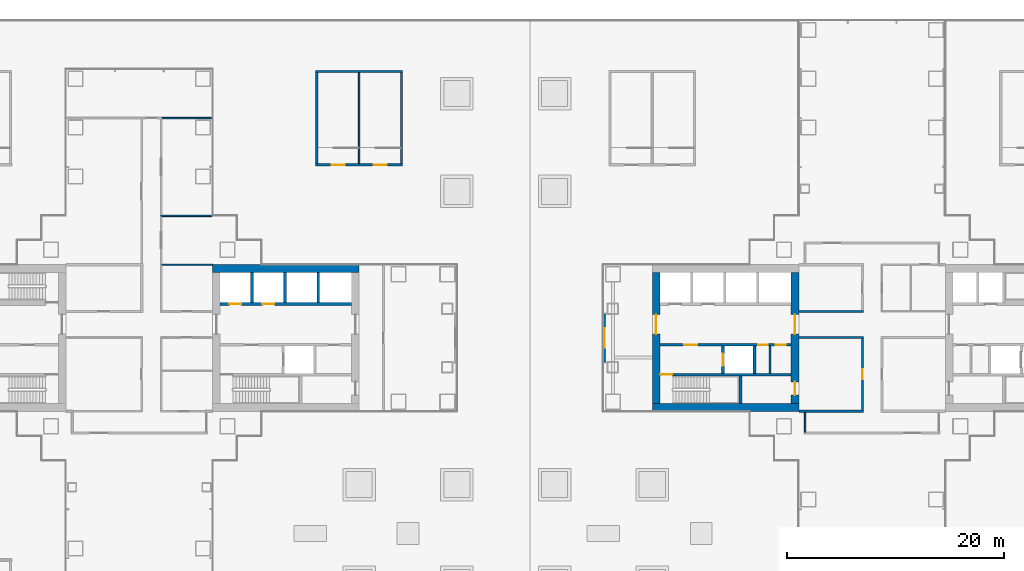
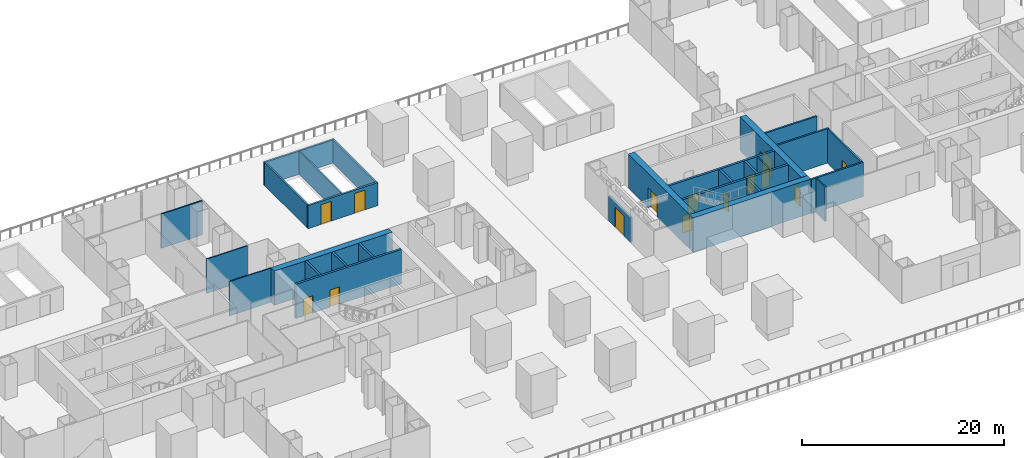
# One storey, part 16 of 23: 28 walls, 14 doors, 14 openings.
"""IFC4 building model written with IfcOpenShell, lengths in metres."""

from ifc_helpers import new_model, si_unit, direction, frame, frame_2d, origin, place, context, subcontext, project, spatial, rectangle, extrude, material, layer, layer_set, type_object, element, fill, save


model = new_model("IFC4")

# Units and contexts
model_context = context("Model", 3, precision=1e-05, world=origin(), true_north=direction((0.0, 1.0)))
body_context = subcontext(model_context, "Body", "Model", "MODEL_VIEW")
ifc_project = project(units=[si_unit("LENGTHUNIT", "METRE"), si_unit("AREAUNIT", "SQUARE_METRE"), si_unit("VOLUMEUNIT", "CUBIC_METRE"), si_unit("PLANEANGLEUNIT", "RADIAN"), si_unit("MASSUNIT", "GRAM", prefix="KILO")], contexts=[model_context])

# Site, building, storey
site_placement = place(None, origin())
site = spatial("IfcSite", under=ifc_project, at=site_placement, CompositionType="ELEMENT")
building_placement = place(site_placement, origin())
building = spatial("IfcBuilding", under=site, at=building_placement, Name="Shamsa Quay Exchange Towers", CompositionType="ELEMENT")
storey_placement = place(building_placement, frame((0.0, 0.0, 28.5)))
storey = spatial("IfcBuildingStorey", under=building, at=storey_placement, Name="L05", CompositionType="ELEMENT", Elevation=28.5)

# Walls
ifc_material_1 = material(Name="Concrete C80/95", Category="concrete")
ifc_layer_1 = layer(ifc_material_1, 0.699951171875)
ifc_layer_set_1 = layer_set([ifc_layer_1], Name="CORE WALL 700 C80/95")
wall_type_1 = type_object("IfcWallType", Name="CORE WALL 700 C80/95", PredefinedType="SHEAR", material=ifc_layer_set_1)
for number, where, name in (
    (1, (-27.0, 6.39990234375, 0.0), "Core wall T1A-R01-PN"),
    (2, (13.5, -6.39990234375, 0.0), "Core wall T2A-R01-PS"),
):
    element("IfcWall", number, at=place(storey_placement, frame(where)), inside=storey, type_object=wall_type_1, Name=name, PredefinedType="SHEAR", context=body_context, shape_type="SweptSolid", body=[
        extrude(rectangle(XDim=13.5, YDim=0.699951171875, at=frame_2d((6.75, 0.0))), origin(), (0.0, 0.0, 1.0), 4.14990234375),
    ])

# Wall, opening, door
wall_1_placement = place(storey_placement, frame((13.85009765625, 6.050048828125, 0.0), z_axis=(0.0, 0.0, 1.0), x_axis=(0.0, -1.0, 0.0)))
wall_1 = element("IfcWall", 3, at=wall_1_placement, inside=storey, type_object=wall_type_1, Name="Core wall T2A-R01-PF", PredefinedType="SHEAR", context=body_context, shape_type="SweptSolid", body=[
    extrude(rectangle(XDim=12.10009765625, YDim=0.699951171875, at=frame_2d((6.050048828125, 0.0))), origin(), (0.0, 0.0, 1.0), 4.14990234375),
])
opening_1_placement = place(wall_1_placement, frame((3.89990234375, 0.0, 0.0)))
opening_1 = element("IfcOpeningElement", 4, at=opening_1_placement, cuts=wall_1, Name="Opening T2A-R01-LBD01", PredefinedType="OPENING", context=body_context, shape_type="SweptSolid", body=[
    extrude(rectangle(XDim=1.800048828125, YDim=2.39990234375, at=frame_2d((0.89990234375, 1.199951171875))), frame((0.0, 0.35986328125, 0.0), z_axis=(0.0, -1.0, 0.0), x_axis=(1.0, 0.0, 0.0)), (0.0, 0.0, 1.0), 0.719970703125),
])
ifc_material_2 = material(Name="Steel, fire rated", Category="steel")
door_type_1 = type_object("IfcDoorType", Name="LIFT LOBBY DOOR PAIR 1800", OperationType="DOUBLE_DOOR_SINGLE_SWING", PredefinedType="DOOR", material=ifc_material_2)
door_1_placement = place(opening_1_placement, origin())
door_1 = element("IfcDoor", 5, at=door_1_placement, inside=storey, type_object=door_type_1, Name="T2A-R01-LBD01", OperationType="DOUBLE_DOOR_SINGLE_SWING", OverallHeight=2.39990234375, OverallWidth=1.800048828125, PredefinedType="DOOR", context=body_context, shape_type="SweptSolid", body=[
    extrude(rectangle(XDim=1.800048828125, YDim=2.39990234375, at=frame_2d((0.89990234375, 1.199951171875))), frame((0.0, 0.02490234375, 0.0), z_axis=(0.0, -1.0, 0.0), x_axis=(1.0, 0.0, 0.0)), (0.0, 0.0, 1.0), 0.050048828125),
])
fill(opening_1, door_1)

# Wall, openings, doors
wall_2_placement = place(storey_placement, frame((26.64990234375, 6.050048828125, 0.0), z_axis=(0.0, 0.0, 1.0), x_axis=(0.0, -1.0, 0.0)))
wall_2 = element("IfcWall", 6, at=wall_2_placement, inside=storey, type_object=wall_type_1, Name="Core wall T2A-R01-PB", PredefinedType="SHEAR", context=body_context, shape_type="SweptSolid", body=[
    extrude(rectangle(XDim=12.10009765625, YDim=0.699951171875, at=frame_2d((6.050048828125, 0.0))), origin(), (0.0, 0.0, 1.0), 4.14990234375),
])
opening_2_placement = place(wall_2_placement, frame((10.10009765625, 0.0, 0.0)))
opening_2 = element("IfcOpeningElement", 7, at=opening_2_placement, cuts=wall_2, Name="Opening T2A-R01-RD02", PredefinedType="OPENING", context=body_context, shape_type="SweptSolid", body=[
    extrude(rectangle(XDim=1.199951171875, YDim=2.10009765625, at=frame_2d((0.60009765625, 1.050048828125))), frame((0.0, 0.35986328125, 0.0), z_axis=(0.0, -1.0, 0.0), x_axis=(1.0, 0.0, 0.0)), (0.0, 0.0, 1.0), 0.719970703125),
])
opening_3_placement = place(wall_2_placement, frame((3.89990234375, 0.0, 0.0)))
opening_3 = element("IfcOpeningElement", 8, at=opening_3_placement, cuts=wall_2, Name="Opening T2A-R01-LBD03", PredefinedType="OPENING", context=body_context, shape_type="SweptSolid", body=[
    extrude(rectangle(XDim=1.800048828125, YDim=2.39990234375, at=frame_2d((0.89990234375, 1.199951171875))), frame((0.0, 0.35986328125, 0.0), z_axis=(0.0, -1.0, 0.0), x_axis=(1.0, 0.0, 0.0)), (0.0, 0.0, 1.0), 0.719970703125),
])
door_2_placement = place(opening_3_placement, origin())
door_2 = element("IfcDoor", 9, at=door_2_placement, inside=storey, type_object=door_type_1, Name="T2A-R01-LBD03", OperationType="DOUBLE_DOOR_SINGLE_SWING", OverallHeight=2.39990234375, OverallWidth=1.800048828125, PredefinedType="DOOR", context=body_context, shape_type="SweptSolid", body=[
    extrude(rectangle(XDim=1.800048828125, YDim=2.39990234375, at=frame_2d((0.89990234375, 1.199951171875))), frame((0.0, 0.02490234375, 0.0), z_axis=(0.0, -1.0, 0.0), x_axis=(1.0, 0.0, 0.0)), (0.0, 0.0, 1.0), 0.050048828125),
])
fill(opening_3, door_2)
door_type_2 = type_object("IfcDoorType", Name="RISER ACCESS DOOR 1200", OperationType="SINGLE_SWING_LEFT", PredefinedType="DOOR", material=ifc_material_2)
door_3_placement = place(opening_2_placement, origin())
door_3 = element("IfcDoor", 10, at=door_3_placement, inside=storey, type_object=door_type_2, Name="T2A-R01-RD02", OperationType="SINGLE_SWING_RIGHT", OverallHeight=2.10009765625, OverallWidth=1.199951171875, PredefinedType="DOOR", context=body_context, shape_type="SweptSolid", body=[
    extrude(rectangle(XDim=1.199951171875, YDim=2.10009765625, at=frame_2d((0.60009765625, 1.050048828125))), frame((0.0, 0.02490234375, 0.0), z_axis=(0.0, -1.0, 0.0), x_axis=(1.0, 0.0, 0.0)), (0.0, 0.0, 1.0), 0.050048828125),
])
fill(opening_2, door_3)

# Wall, opening, door
ifc_material_3 = material(Name="Aluminium EN AW-6063 T6, black anodised, with black enamelled glass infill", Category="aluminium")
ifc_layer_2 = layer(ifc_material_3, 0.199951171875)
ifc_layer_set_2 = layer_set([ifc_layer_2], Name="ENTRANCE DOOR BAY WALL 200")
wall_type_2 = type_object("IfcWallType", Name="ENTRANCE DOOR BAY WALL 200", PredefinedType="SOLIDWALL", material=ifc_layer_set_2)
wall_3_placement = place(storey_placement, frame((9.10009765625, -2.219970703125, 0.0), z_axis=(0.0, 0.0, 1.0), x_axis=(0.0, 1.0, 0.0)))
wall_3 = element("IfcWall", 11, at=wall_3_placement, inside=storey, type_object=wall_type_2, Name="Entrance bay T2 L05 T2-END-V+ bay 2", PredefinedType="SOLIDWALL", context=body_context, shape_type="SweptSolid", body=[
    extrude(rectangle(XDim=4.43994140625, YDim=0.199951171875, at=frame_2d((2.219970703125, 0.0))), origin(), (0.0, 0.0, 1.0), 3.0),
])
opening_4_placement = place(wall_3_placement, frame((1.320068359375, 0.0, 0.0)))
opening_4 = element("IfcOpeningElement", 12, at=opening_4_placement, cuts=wall_3, Name="Opening XD039", PredefinedType="OPENING", context=body_context, shape_type="SweptSolid", body=[
    extrude(rectangle(XDim=1.800048828125, YDim=2.39990234375, at=frame_2d((0.89990234375, 1.199951171875))), frame((0.0, 0.10986328125, 0.0), z_axis=(0.0, -1.0, 0.0), x_axis=(1.0, 0.0, 0.0)), (0.0, 0.0, 1.0), 0.219970703125),
])
ifc_material_4 = material(Name="Aluminium EN AW-6063 T6, black anodised, with laminated glass leaves", Category="aluminium")
door_type_3 = type_object("IfcDoorType", Name="TERRACE DOOR 1800x2400", OperationType="DOUBLE_DOOR_SINGLE_SWING", PredefinedType="DOOR", material=ifc_material_4)
door_4_placement = place(opening_4_placement, origin())
door_4 = element("IfcDoor", 13, at=door_4_placement, inside=storey, type_object=door_type_3, Name="Terrace door T2 L05 T2-END-V+ bay 2", OperationType="DOUBLE_DOOR_SINGLE_SWING", OverallHeight=2.39990234375, OverallWidth=1.800048828125, PredefinedType="DOOR", context=body_context, shape_type="SweptSolid", body=[
    extrude(rectangle(XDim=1.800048828125, YDim=2.39990234375, at=frame_2d((0.89990234375, 1.199951171875))), frame((0.0, 0.02490234375, 0.0), z_axis=(0.0, -1.0, 0.0), x_axis=(1.0, 0.0, 0.0)), (0.0, 0.0, 1.0), 0.050048828125),
])
fill(opening_4, door_4)

# Walls
ifc_material_5 = material(Name="Gypsum board on steel studs, EI 60", Category="steel")
ifc_layer_3 = layer(ifc_material_5, 0.14990234375)
ifc_layer_set_3 = layer_set([ifc_layer_3], Name="FIRE PARTITION 150")
wall_type_3 = type_object("IfcWallType", Name="FIRE PARTITION 150", PredefinedType="PARTITIONING", material=ifc_layer_set_3)
wall_4_placement = place(storey_placement, frame((24.35009765625, -3.25, 0.0), z_axis=(0.0, 0.0, 1.0), x_axis=(0.0, 1.0, 0.0)))
element("IfcWall", 14, at=wall_4_placement, inside=storey, type_object=wall_type_3, Name="Partition T2A-R01-EC0", PredefinedType="PARTITIONING", context=body_context, shape_type="SweptSolid", body=[
    extrude(rectangle(XDim=2.5, YDim=0.14990234375, at=frame_2d((1.25, 0.0))), origin(), (0.0, 0.0, 1.0), 4.14990234375),
])
ifc_material_6 = material(Name="Laminated fire-resisting glass in a metal frame", Category="glass")
ifc_layer_4 = layer(ifc_material_6, 0.125)
ifc_layer_set_4 = layer_set([ifc_layer_4], Name="Glazed partition 125 mm EI 60")
wall_type_4 = type_object("IfcWallType", Name="Glazed partition 125 mm EI 60", PredefinedType="PARTITIONING", material=ifc_layer_set_4)
wall_5_placement = place(storey_placement, frame((-27.0, 6.75, 0.0), z_axis=(0.0, 0.0, 1.0), x_axis=(-1.0, 0.0, 0.0)))
element("IfcWall", 15, at=wall_5_placement, inside=storey, type_object=wall_type_4, Name="Partition T1-R01-W19", PredefinedType="PARTITIONING", context=body_context, shape_type="SweptSolid", body=[
    extrude(rectangle(XDim=4.787109375, YDim=0.125, at=frame_2d((2.3935546875, 0.0))), origin(), (0.0, 0.0, 1.0), 4.14990234375),
])
wall_6_placement = place(storey_placement, frame((-27.094970703125, 11.25, 0.0), z_axis=(0.0, 0.0, 1.0), x_axis=(-1.0, 0.0, 0.0)))
element("IfcWall", 16, at=wall_6_placement, inside=storey, type_object=wall_type_4, Name="Partition T1-R01-W24", PredefinedType="PARTITIONING", context=body_context, shape_type="SweptSolid", body=[
    extrude(rectangle(XDim=4.692138671875, YDim=0.125, at=frame_2d((2.34619140625, 0.0))), origin(), (0.0, 0.0, 1.0), 4.14990234375),
])
ifc_material_7 = material(Name="Gypsum board partition on metal studs")
ifc_layer_5 = layer(ifc_material_7, 0.14990234375)
ifc_layer_set_5 = layer_set([ifc_layer_5], Name="Partition 150 mm EI 60")
wall_type_5 = type_object("IfcWallType", Name="Partition 150 mm EI 60", PredefinedType="PARTITIONING", material=ifc_layer_set_5)
wall_7_placement = place(storey_placement, frame((-27.094970703125, 20.25, 0.0), z_axis=(0.0, 0.0, 1.0), x_axis=(-1.0, 0.0, 0.0)))
element("IfcWall", 17, at=wall_7_placement, inside=storey, type_object=wall_type_5, Name="Partition T1-R01-W25", PredefinedType="PARTITIONING", context=body_context, shape_type="SweptSolid", body=[
    extrude(rectangle(XDim=4.692138671875, YDim=0.14990234375, at=frame_2d((2.34619140625, 0.0))), origin(), (0.0, 0.0, 1.0), 4.14990234375),
])
wall_8_placement = place(storey_placement, frame((27.5751953125, -6.85009765625, 0.0), z_axis=(0.0, 0.0, 1.0), x_axis=(0.0, -1.0, 0.0)))
element("IfcWall", 18, at=wall_8_placement, inside=storey, type_object=wall_type_5, Name="Partition T2-R01-W16", PredefinedType="PARTITIONING", context=body_context, shape_type="SweptSolid", body=[
    extrude(rectangle(XDim=1.824951171875, YDim=0.14990234375, at=frame_2d((0.91259765625, 0.0))), origin(), (0.0, 0.0, 1.0), 4.14990234375),
])

# Wall, opening, door
ifc_layer_6 = layer(ifc_material_7, 0.199951171875)
ifc_layer_set_6 = layer_set([ifc_layer_6], Name="Partition 200 mm EI 120")
wall_type_6 = type_object("IfcWallType", Name="Partition 200 mm EI 120", PredefinedType="PARTITIONING", material=ifc_layer_set_6)
wall_9_placement = place(storey_placement, frame((32.849609375, -6.64990234375, 0.0), z_axis=(0.0, 0.0, 1.0), x_axis=(0.0, 1.0, 0.0)))
wall_9 = element("IfcWall", 19, at=wall_9_placement, inside=storey, type_object=wall_type_6, Name="Partition T2-R01-W03", PredefinedType="PARTITIONING", context=body_context, shape_type="SweptSolid", body=[
    extrude(rectangle(XDim=6.599609375, YDim=0.199951171875, at=frame_2d((3.2998046875, 0.0))), origin(), (0.0, 0.0, 1.0), 4.14990234375),
])
opening_5_placement = place(wall_9_placement, frame((2.849853515625, 0.0, 0.0)))
opening_5 = element("IfcOpeningElement", 20, at=opening_5_placement, cuts=wall_9, Name="Opening T2-R01-D08", PredefinedType="OPENING", context=body_context, shape_type="SweptSolid", body=[
    extrude(rectangle(XDim=0.89990234375, YDim=2.10009765625, at=frame_2d((0.449951171875, 1.050048828125))), frame((0.0, 0.10986328125, 0.0), z_axis=(0.0, -1.0, 0.0), x_axis=(1.0, 0.0, 0.0)), (0.0, 0.0, 1.0), 0.219970703125),
])
ifc_material_8 = material(Name="Timber door leaf in a metal frame", Category="wood")
door_type_4 = type_object("IfcDoorType", Name="Door 900x2100 FD60", OperationType="NOTDEFINED", PredefinedType="DOOR", material=ifc_material_8)
door_5_placement = place(opening_5_placement, origin())
door_5 = element("IfcDoor", 21, at=door_5_placement, inside=storey, type_object=door_type_4, Name="Door T2-R01-D08", OperationType="SINGLE_SWING_RIGHT", OverallHeight=2.10009765625, OverallWidth=0.89990234375, PredefinedType="DOOR", context=body_context, shape_type="SweptSolid", body=[
    extrude(rectangle(XDim=0.89990234375, YDim=2.10009765625, at=frame_2d((0.449951171875, 1.050048828125))), frame((0.0, 0.02490234375, 0.0), z_axis=(0.0, -1.0, 0.0), x_axis=(1.0, 0.0, 0.0)), (0.0, 0.0, 1.0), 0.050048828125),
])
fill(opening_5, door_5)

# Walls
wall_10_placement = place(storey_placement, frame((27.0, 2.4501953125, 0.0)))
element("IfcWall", 22, at=wall_10_placement, inside=storey, type_object=wall_type_6, Name="Partition T2-R01-W04", PredefinedType="PARTITIONING", context=body_context, shape_type="SweptSolid", body=[
    extrude(rectangle(XDim=5.94970703125, YDim=0.199951171875, at=frame_2d((2.974853515625, 0.0))), origin(), (0.0, 0.0, 1.0), 4.14990234375),
])
wall_11_placement = place(storey_placement, frame((32.94970703125, 0.0498046875, 0.0), z_axis=(0.0, 0.0, 1.0), x_axis=(-1.0, 0.0, 0.0)))
element("IfcWall", 23, at=wall_11_placement, inside=storey, type_object=wall_type_6, Name="Partition T2-R01-W05", PredefinedType="PARTITIONING", context=body_context, shape_type="SweptSolid", body=[
    extrude(rectangle(XDim=5.94970703125, YDim=0.199951171875, at=frame_2d((2.974853515625, 0.0))), origin(), (0.0, 0.0, 1.0), 4.14990234375),
])
wall_12_placement = place(storey_placement, frame((27.0, -6.75, 0.0)))
element("IfcWall", 24, at=wall_12_placement, inside=storey, type_object=wall_type_6, Name="Partition T2-R01-W08", PredefinedType="PARTITIONING", context=body_context, shape_type="SweptSolid", body=[
    extrude(rectangle(XDim=5.94970703125, YDim=0.199951171875, at=frame_2d((2.974853515625, 0.0))), origin(), (0.0, 0.0, 1.0), 4.14990234375),
])

# Wall, openings, doors
ifc_material_9 = material(Name="Concrete C50/60", Category="concrete")
ifc_layer_7 = layer(ifc_material_9, 0.25)
ifc_layer_set_7 = layer_set([ifc_layer_7], Name="SHAFT WALL 250 C50/60")
wall_type_7 = type_object("IfcWallType", Name="SHAFT WALL 250 C50/60", PredefinedType="SHEAR", material=ifc_layer_set_7)
wall_13_placement = place(storey_placement, frame((-26.300048828125, 3.125, 0.0)))
wall_13 = element("IfcWall", 25, at=wall_13_placement, inside=storey, type_object=wall_type_7, Name="Shaft wall T1A-R01-N", PredefinedType="SHEAR", context=body_context, shape_type="SweptSolid", body=[
    extrude(rectangle(XDim=12.10009765625, YDim=0.25, at=frame_2d((6.050048828125, 0.0))), origin(), (0.0, 0.0, 1.0), 4.14990234375),
])
opening_6_placement = place(wall_13_placement, frame((0.85009765625, 0.0, 0.0)))
opening_6 = element("IfcOpeningElement", 26, at=opening_6_placement, cuts=wall_13, Name="Opening T1A-R01-LD08", PredefinedType="OPENING", context=body_context, shape_type="SweptSolid", body=[
    extrude(rectangle(XDim=1.10009765625, YDim=2.10009765625, at=frame_2d((0.550048828125, 1.050048828125))), frame((0.0, 0.135009765625, 0.0), z_axis=(0.0, -1.0, 0.0), x_axis=(1.0, 0.0, 0.0)), (0.0, 0.0, 1.0), 0.27001953125),
])
opening_7_placement = place(wall_13_placement, frame((3.89990234375, 0.0, 0.0)))
opening_7 = element("IfcOpeningElement", 27, at=opening_7_placement, cuts=wall_13, Name="Opening T1A-R01-LD09", PredefinedType="OPENING", context=body_context, shape_type="SweptSolid", body=[
    extrude(rectangle(XDim=1.10009765625, YDim=2.10009765625, at=frame_2d((0.550048828125, 1.050048828125))), frame((0.0, 0.135009765625, 0.0), z_axis=(0.0, -1.0, 0.0), x_axis=(1.0, 0.0, 0.0)), (0.0, 0.0, 1.0), 0.27001953125),
])
door_type_5 = type_object("IfcDoorType", Name="LANDING DOOR 1100", OperationType="SLIDING_TO_LEFT", PredefinedType="DOOR", material=ifc_material_2)
door_6_placement = place(opening_6_placement, origin())
door_6 = element("IfcDoor", 28, at=door_6_placement, inside=storey, type_object=door_type_5, Name="T1A-R01-LD08", OperationType="SLIDING_TO_LEFT", OverallHeight=2.10009765625, OverallWidth=1.10009765625, PredefinedType="DOOR", context=body_context, shape_type="SweptSolid", body=[
    extrude(rectangle(XDim=1.10009765625, YDim=2.10009765625, at=frame_2d((0.550048828125, 1.050048828125))), frame((0.0, 0.02490234375, 0.0), z_axis=(0.0, -1.0, 0.0), x_axis=(1.0, 0.0, 0.0)), (0.0, 0.0, 1.0), 0.050048828125),
])
fill(opening_6, door_6)
door_7_placement = place(opening_7_placement, origin())
door_7 = element("IfcDoor", 29, at=door_7_placement, inside=storey, type_object=door_type_5, Name="T1A-R01-LD09", OperationType="SLIDING_TO_LEFT", OverallHeight=2.10009765625, OverallWidth=1.10009765625, PredefinedType="DOOR", context=body_context, shape_type="SweptSolid", body=[
    extrude(rectangle(XDim=1.10009765625, YDim=2.10009765625, at=frame_2d((0.550048828125, 1.050048828125))), frame((0.0, 0.02490234375, 0.0), z_axis=(0.0, -1.0, 0.0), x_axis=(1.0, 0.0, 0.0)), (0.0, 0.0, 1.0), 0.050048828125),
])
fill(opening_7, door_7)

# Walls
for number, where, z_axis, x_axis, name in (
    (30, (-23.375, 3.25, 0.0), (0.0, 0.0, 1.0), (0.0, 1.0, 0.0), "Shaft wall T1A-R01-D0"),
    (31, (-20.324951171875, 3.25, 0.0), (0.0, 0.0, 1.0), (0.0, 1.0, 0.0), "Shaft wall T1A-R01-D1"),
    (32, (-17.27490234375, 3.25, 0.0), (0.0, 0.0, 1.0), (0.0, 1.0, 0.0), "Shaft wall T1A-R01-D2"),
):
    element("IfcWall", number, at=place(storey_placement, frame(where, z_axis=z_axis, x_axis=x_axis)), inside=storey, type_object=wall_type_7, Name=name, PredefinedType="SHEAR", context=body_context, shape_type="SweptSolid", body=[
        extrude(rectangle(XDim=2.800048828125, YDim=0.25, at=frame_2d((1.39990234375, 0.0))), origin(), (0.0, 0.0, 1.0), 4.14990234375),
    ])

# Wall, opening, door
wall_14_placement = place(storey_placement, frame((26.300048828125, -3.375, 0.0), z_axis=(0.0, 0.0, 1.0), x_axis=(-1.0, 0.0, 0.0)))
wall_14 = element("IfcWall", 33, at=wall_14_placement, inside=storey, type_object=wall_type_7, Name="Shaft wall T2A-R01-STL", PredefinedType="SHEAR", context=body_context, shape_type="SweptSolid", body=[
    extrude(rectangle(XDim=12.10009765625, YDim=0.25, at=frame_2d((6.050048828125, 0.0))), origin(), (0.0, 0.0, 1.0), 4.14990234375),
])
opening_8_placement = place(wall_14_placement, frame((10.949951171875, 0.0, 0.0)))
opening_8 = element("IfcOpeningElement", 34, at=opening_8_placement, cuts=wall_14, Name="Opening T2A-R01-SD04", PredefinedType="OPENING", context=body_context, shape_type="SweptSolid", body=[
    extrude(rectangle(XDim=1.10009765625, YDim=2.10009765625, at=frame_2d((0.550048828125, 1.050048828125))), frame((0.0, 0.135009765625, 0.0), z_axis=(0.0, -1.0, 0.0), x_axis=(1.0, 0.0, 0.0)), (0.0, 0.0, 1.0), 0.27001953125),
])
door_type_6 = type_object("IfcDoorType", Name="STAIR DOOR 1100", OperationType="SINGLE_SWING_LEFT", PredefinedType="DOOR", material=ifc_material_2)
door_8_placement = place(opening_8_placement, origin())
door_8 = element("IfcDoor", 35, at=door_8_placement, inside=storey, type_object=door_type_6, Name="T2A-R01-SD04", OperationType="SINGLE_SWING_RIGHT", OverallHeight=2.10009765625, OverallWidth=1.10009765625, PredefinedType="DOOR", context=body_context, shape_type="SweptSolid", body=[
    extrude(rectangle(XDim=1.10009765625, YDim=2.10009765625, at=frame_2d((0.550048828125, 1.050048828125))), frame((0.0, 0.02490234375, 0.0), z_axis=(0.0, -1.0, 0.0), x_axis=(1.0, 0.0, 0.0)), (0.0, 0.0, 1.0), 0.050048828125),
])
fill(opening_8, door_8)

# Wall
wall_15_placement = place(storey_placement, frame((21.625, -6.050048828125, 0.0), z_axis=(0.0, 0.0, 1.0), x_axis=(0.0, 1.0, 0.0)))
element("IfcWall", 36, at=wall_15_placement, inside=storey, type_object=wall_type_7, Name="Shaft wall T2A-R01-STF", PredefinedType="SHEAR", context=body_context, shape_type="SweptSolid", body=[
    extrude(rectangle(XDim=2.550048828125, YDim=0.25, at=frame_2d((1.27490234375, 0.0))), origin(), (0.0, 0.0, 1.0), 4.14990234375),
])

# Wall, openings, doors
wall_16_placement = place(storey_placement, frame((26.300048828125, -0.625, 0.0), z_axis=(0.0, 0.0, 1.0), x_axis=(-1.0, 0.0, 0.0)))
wall_16 = element("IfcWall", 37, at=wall_16_placement, inside=storey, type_object=wall_type_7, Name="Shaft wall T2A-R01-B", PredefinedType="SHEAR", context=body_context, shape_type="SweptSolid", body=[
    extrude(rectangle(XDim=12.10009765625, YDim=0.25, at=frame_2d((6.050048828125, 0.0))), origin(), (0.0, 0.0, 1.0), 4.14990234375),
])
opening_9_placement = place(wall_16_placement, frame((8.64990234375, 0.0, 0.0)))
opening_9 = element("IfcOpeningElement", 38, at=opening_9_placement, cuts=wall_16, Name="Opening T2A-R01-FD05", PredefinedType="OPENING", context=body_context, shape_type="SweptSolid", body=[
    extrude(rectangle(XDim=1.199951171875, YDim=2.10009765625, at=frame_2d((0.60009765625, 1.050048828125))), frame((0.0, 0.135009765625, 0.0), z_axis=(0.0, -1.0, 0.0), x_axis=(1.0, 0.0, 0.0)), (0.0, 0.0, 1.0), 0.27001953125),
])
opening_10_placement = place(wall_16_placement, frame((2.14990234375, 0.0, 0.0)))
opening_10 = element("IfcOpeningElement", 39, at=opening_10_placement, cuts=wall_16, Name="Opening T2A-R01-SV06", PredefinedType="OPENING", context=body_context, shape_type="SweptSolid", body=[
    extrude(rectangle(XDim=0.89990234375, YDim=2.10009765625, at=frame_2d((0.449951171875, 1.050048828125))), frame((0.0, 0.135009765625, 0.0), z_axis=(0.0, -1.0, 0.0), x_axis=(1.0, 0.0, 0.0)), (0.0, 0.0, 1.0), 0.27001953125),
])
opening_11_placement = place(wall_16_placement, frame((0.52490234375, 0.0, 0.0)))
opening_11 = element("IfcOpeningElement", 40, at=opening_11_placement, cuts=wall_16, Name="Opening T2A-R01-SV07", PredefinedType="OPENING", context=body_context, shape_type="SweptSolid", body=[
    extrude(rectangle(XDim=0.89990234375, YDim=2.10009765625, at=frame_2d((0.449951171875, 1.050048828125))), frame((0.0, 0.135009765625, 0.0), z_axis=(0.0, -1.0, 0.0), x_axis=(1.0, 0.0, 0.0)), (0.0, 0.0, 1.0), 0.27001953125),
])
door_type_7 = type_object("IfcDoorType", Name="FIRE SERVICE LOBBY DOOR 1200", OperationType="SINGLE_SWING_LEFT", PredefinedType="DOOR", material=ifc_material_2)
door_9_placement = place(opening_9_placement, origin())
door_9 = element("IfcDoor", 41, at=door_9_placement, inside=storey, type_object=door_type_7, Name="T2A-R01-FD05", OperationType="SINGLE_SWING_RIGHT", OverallHeight=2.10009765625, OverallWidth=1.199951171875, PredefinedType="DOOR", context=body_context, shape_type="SweptSolid", body=[
    extrude(rectangle(XDim=1.199951171875, YDim=2.10009765625, at=frame_2d((0.60009765625, 1.050048828125))), frame((0.0, 0.02490234375, 0.0), z_axis=(0.0, -1.0, 0.0), x_axis=(1.0, 0.0, 0.0)), (0.0, 0.0, 1.0), 0.050048828125),
])
fill(opening_9, door_9)
door_type_8 = type_object("IfcDoorType", Name="SERVICE ROOM DOOR 900", OperationType="SINGLE_SWING_LEFT", PredefinedType="DOOR", material=ifc_material_2)
door_10_placement = place(opening_10_placement, origin())
door_10 = element("IfcDoor", 42, at=door_10_placement, inside=storey, type_object=door_type_8, Name="T2A-R01-SV06", OperationType="SINGLE_SWING_LEFT", OverallHeight=2.10009765625, OverallWidth=0.89990234375, PredefinedType="DOOR", context=body_context, shape_type="SweptSolid", body=[
    extrude(rectangle(XDim=0.89990234375, YDim=2.10009765625, at=frame_2d((0.449951171875, 1.050048828125))), frame((0.0, 0.02490234375, 0.0), z_axis=(0.0, -1.0, 0.0), x_axis=(1.0, 0.0, 0.0)), (0.0, 0.0, 1.0), 0.050048828125),
])
fill(opening_10, door_10)
door_11_placement = place(opening_11_placement, origin())
door_11 = element("IfcDoor", 43, at=door_11_placement, inside=storey, type_object=door_type_8, Name="T2A-R01-SV07", OperationType="SINGLE_SWING_LEFT", OverallHeight=2.10009765625, OverallWidth=0.89990234375, PredefinedType="DOOR", context=body_context, shape_type="SweptSolid", body=[
    extrude(rectangle(XDim=0.89990234375, YDim=2.10009765625, at=frame_2d((0.449951171875, 1.050048828125))), frame((0.0, 0.02490234375, 0.0), z_axis=(0.0, -1.0, 0.0), x_axis=(1.0, 0.0, 0.0)), (0.0, 0.0, 1.0), 0.050048828125),
])
fill(opening_11, door_11)

# Wall, opening, door
wall_17_placement = place(storey_placement, frame((20.02490234375, -3.25, 0.0), z_axis=(0.0, 0.0, 1.0), x_axis=(0.0, 1.0, 0.0)))
wall_17 = element("IfcWall", 44, at=wall_17_placement, inside=storey, type_object=wall_type_7, Name="Shaft wall T2A-R01-FFF", PredefinedType="SHEAR", context=body_context, shape_type="SweptSolid", body=[
    extrude(rectangle(XDim=2.5, YDim=0.25, at=frame_2d((1.25, 0.0))), origin(), (0.0, 0.0, 1.0), 4.14990234375),
])
opening_12_placement = place(wall_17_placement, frame((0.699951171875, 0.0, 0.0)))
opening_12 = element("IfcOpeningElement", 45, at=opening_12_placement, cuts=wall_17, Name="Opening T2A-R01-LDF08", PredefinedType="OPENING", context=body_context, shape_type="SweptSolid", body=[
    extrude(rectangle(XDim=1.10009765625, YDim=2.10009765625, at=frame_2d((0.550048828125, 1.050048828125))), frame((0.0, 0.135009765625, 0.0), z_axis=(0.0, -1.0, 0.0), x_axis=(1.0, 0.0, 0.0)), (0.0, 0.0, 1.0), 0.27001953125),
])
door_type_9 = type_object("IfcDoorType", Name="FIRE SERVICE LANDING DOOR 1100", OperationType="SLIDING_TO_LEFT", PredefinedType="DOOR", material=ifc_material_2)
door_12_placement = place(opening_12_placement, origin())
door_12 = element("IfcDoor", 46, at=door_12_placement, inside=storey, type_object=door_type_9, Name="T2A-R01-LDF08", OperationType="SLIDING_TO_LEFT", OverallHeight=2.10009765625, OverallWidth=1.10009765625, PredefinedType="DOOR", context=body_context, shape_type="SweptSolid", body=[
    extrude(rectangle(XDim=1.10009765625, YDim=2.10009765625, at=frame_2d((0.550048828125, 1.050048828125))), frame((0.0, 0.02490234375, 0.0), z_axis=(0.0, -1.0, 0.0), x_axis=(1.0, 0.0, 0.0)), (0.0, 0.0, 1.0), 0.050048828125),
])
fill(opening_12, door_12)

# Wall
wall_18_placement = place(storey_placement, frame((22.925048828125, -3.25, 0.0), z_axis=(0.0, 0.0, 1.0), x_axis=(0.0, 1.0, 0.0)))
element("IfcWall", 47, at=wall_18_placement, inside=storey, type_object=wall_type_7, Name="Shaft wall T2A-R01-FFB", PredefinedType="SHEAR", context=body_context, shape_type="SweptSolid", body=[
    extrude(rectangle(XDim=2.5, YDim=0.25, at=frame_2d((1.25, 0.0))), origin(), (0.0, 0.0, 1.0), 4.14990234375),
])

# Wall, openings, doors
ifc_layer_8 = layer(ifc_material_9, 0.199951171875)
ifc_layer_set_8 = layer_set([ifc_layer_8], Name="STAIR ENCLOSURE WALL 200 C50/60")
wall_type_8 = type_object("IfcWallType", Name="STAIR ENCLOSURE WALL 200 C50/60", PredefinedType="SHEAR", material=ifc_layer_set_8)
wall_19_placement = place(storey_placement, frame((-17.5, 15.949951171875, 0.0)))
wall_19 = element("IfcWall", 48, at=wall_19_placement, inside=storey, type_object=wall_type_8, Name="Stair enclosure wall PS2 inward", PredefinedType="SHEAR", context=body_context, shape_type="SweptSolid", body=[
    extrude(rectangle(XDim=8.0, YDim=0.199951171875, at=frame_2d((4.0, 0.0))), origin(), (0.0, 0.0, 1.0), 2.800048828125),
])
opening_13_placement = place(wall_19_placement, frame((1.46240234375, 0.0, 0.0)))
opening_13 = element("IfcOpeningElement", 49, at=opening_13_placement, cuts=wall_19, Name="Opening PS2A-L05-SD01", PredefinedType="OPENING", context=body_context, shape_type="SweptSolid", body=[
    extrude(rectangle(XDim=1.199951171875, YDim=2.39990234375, at=frame_2d((0.60009765625, 1.199951171875))), frame((0.0, 0.10986328125, 0.0), z_axis=(0.0, -1.0, 0.0), x_axis=(1.0, 0.0, 0.0)), (0.0, 0.0, 1.0), 0.219970703125),
])
opening_14_placement = place(wall_19_placement, frame((5.33740234375, 0.0, 0.0)))
opening_14 = element("IfcOpeningElement", 50, at=opening_14_placement, cuts=wall_19, Name="Opening PS2B-L05-SD01", PredefinedType="OPENING", context=body_context, shape_type="SweptSolid", body=[
    extrude(rectangle(XDim=1.199951171875, YDim=2.39990234375, at=frame_2d((0.60009765625, 1.199951171875))), frame((0.0, 0.10986328125, 0.0), z_axis=(0.0, -1.0, 0.0), x_axis=(1.0, 0.0, 0.0)), (0.0, 0.0, 1.0), 0.219970703125),
])
door_type_10 = type_object("IfcDoorType", Name="PODIUM STAIR DOOR 1200", OperationType="SINGLE_SWING_LEFT", PredefinedType="DOOR", material=ifc_material_2)
door_13_placement = place(opening_13_placement, origin())
door_13 = element("IfcDoor", 51, at=door_13_placement, inside=storey, type_object=door_type_10, Name="PS2A-L05-SD01", OperationType="SINGLE_SWING_LEFT", OverallHeight=2.39990234375, OverallWidth=1.199951171875, PredefinedType="DOOR", context=body_context, shape_type="SweptSolid", body=[
    extrude(rectangle(XDim=1.199951171875, YDim=2.39990234375, at=frame_2d((0.60009765625, 1.199951171875))), frame((0.0, 0.02490234375, 0.0), z_axis=(0.0, -1.0, 0.0), x_axis=(1.0, 0.0, 0.0)), (0.0, 0.0, 1.0), 0.050048828125),
])
fill(opening_13, door_13)
door_14_placement = place(opening_14_placement, origin())
door_14 = element("IfcDoor", 52, at=door_14_placement, inside=storey, type_object=door_type_10, Name="PS2B-L05-SD01", OperationType="SINGLE_SWING_RIGHT", OverallHeight=2.39990234375, OverallWidth=1.199951171875, PredefinedType="DOOR", context=body_context, shape_type="SweptSolid", body=[
    extrude(rectangle(XDim=1.199951171875, YDim=2.39990234375, at=frame_2d((0.60009765625, 1.199951171875))), frame((0.0, 0.02490234375, 0.0), z_axis=(0.0, -1.0, 0.0), x_axis=(1.0, 0.0, 0.0)), (0.0, 0.0, 1.0), 0.050048828125),
])
fill(opening_14, door_14)

# Walls
wall_20_placement = place(storey_placement, frame((-17.5, 24.550048828125, 0.0)))
element("IfcWall", 53, at=wall_20_placement, inside=storey, type_object=wall_type_8, Name="Stair enclosure wall PS2 outward", PredefinedType="SHEAR", context=body_context, shape_type="SweptSolid", body=[
    extrude(rectangle(XDim=8.0, YDim=0.199951171875, at=frame_2d((4.0, 0.0))), origin(), (0.0, 0.0, 1.0), 2.800048828125),
])
for number, where, z_axis, x_axis, name in (
    (54, (-17.39990234375, 16.050048828125, 0.0), (0.0, 0.0, 1.0), (0.0, 1.0, 0.0), "Stair enclosure wall PS2 west"),
    (55, (-9.60009765625, 16.050048828125, 0.0), (0.0, 0.0, 1.0), (0.0, 1.0, 0.0), "Stair enclosure wall PS2 east"),
):
    element("IfcWall", number, at=place(storey_placement, frame(where, z_axis=z_axis, x_axis=x_axis)), inside=storey, type_object=wall_type_8, Name=name, PredefinedType="SHEAR", context=body_context, shape_type="SweptSolid", body=[
        extrude(rectangle(XDim=8.39990234375, YDim=0.199951171875, at=frame_2d((4.199951171875, 0.0))), origin(), (0.0, 0.0, 1.0), 2.800048828125),
    ])
ifc_layer_9 = layer(ifc_material_9, 0.14990234375)
ifc_layer_set_9 = layer_set([ifc_layer_9], Name="STAIR PARTITION WALL 150 C50/60")
wall_type_9 = type_object("IfcWallType", Name="STAIR PARTITION WALL 150 C50/60", PredefinedType="SHEAR", material=ifc_layer_set_9)
wall_21_placement = place(storey_placement, frame((-13.5, 16.050048828125, 0.0), z_axis=(0.0, 0.0, 1.0), x_axis=(0.0, 1.0, 0.0)))
element("IfcWall", 56, at=wall_21_placement, inside=storey, type_object=wall_type_9, Name="Stair enclosure wall PS2 between the stairs", PredefinedType="SHEAR", context=body_context, shape_type="SweptSolid", body=[
    extrude(rectangle(XDim=8.39990234375, YDim=0.14990234375, at=frame_2d((4.199951171875, 0.0))), origin(), (0.0, 0.0, 1.0), 2.800048828125),
])

save(model, "model.ifc")
